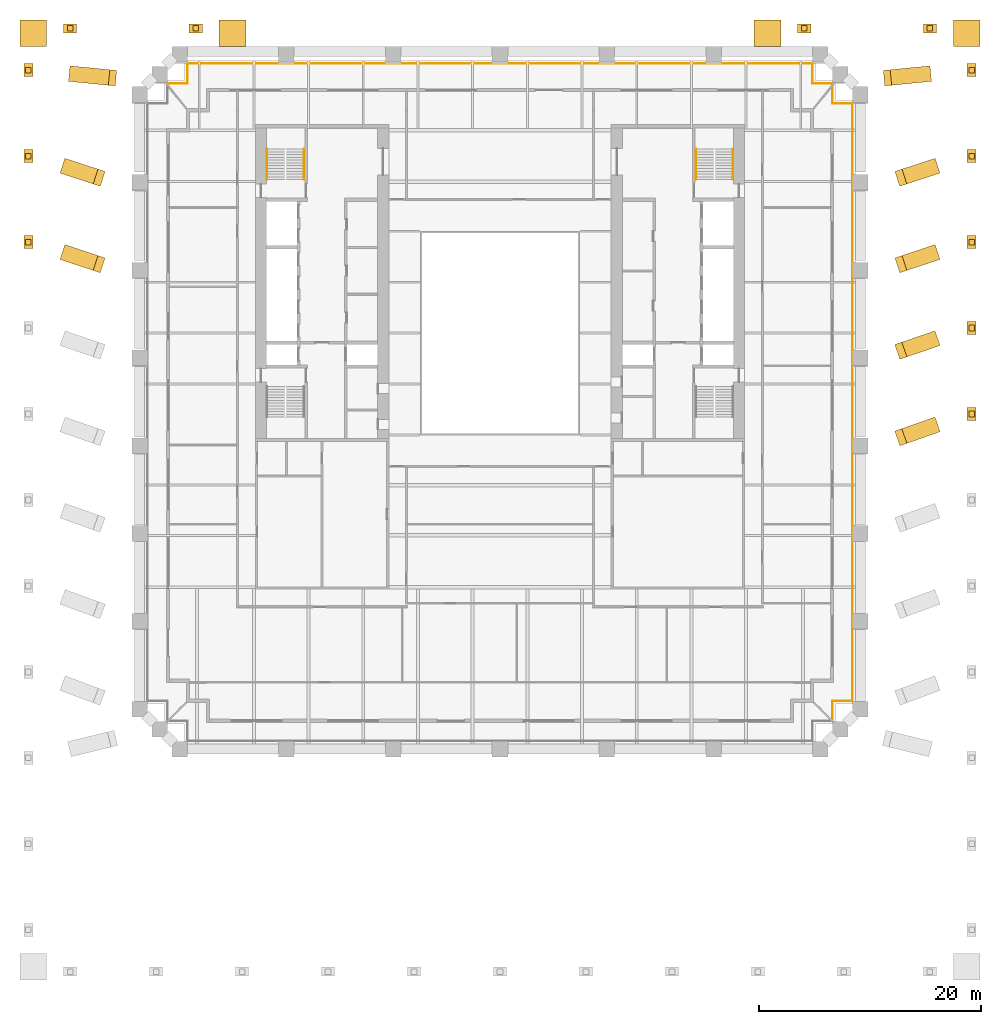
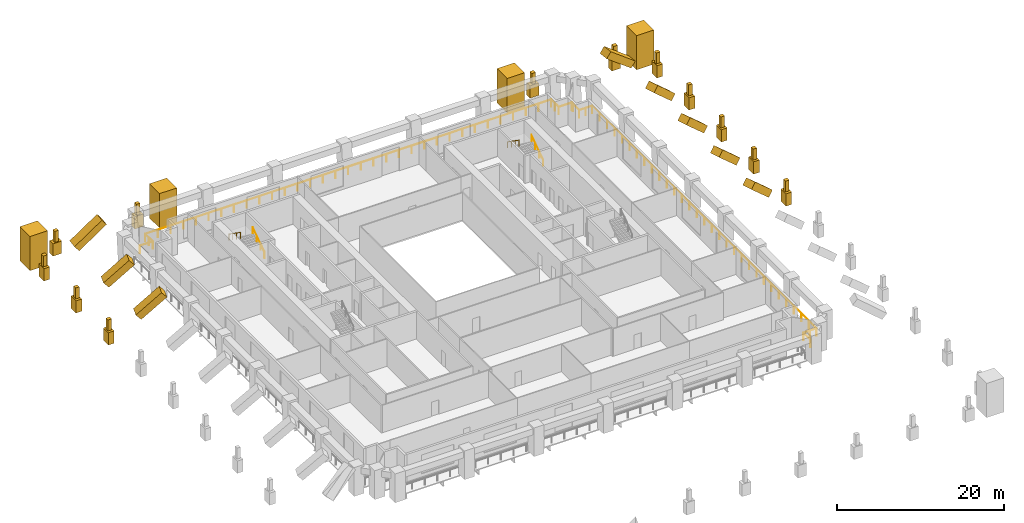
# One storey, part 10 of 10: 36 coverings, 6 railings.
"""IFC4 building model written with IfcOpenShell, lengths in metres."""

from ifc_helpers import new_model, si_unit, direction, frame, origin, origin_2d, place, context, subcontext, project, spatial, rectangle, circle, extrude, material, material_profile, profile_set, type_object, element, save


model = new_model("IFC4")

# Units and contexts
model_context = context("Model", 3, precision=1e-05, world=origin(), true_north=direction((0.0, 1.0)))
body_context = subcontext(model_context, "Body", "Model", "MODEL_VIEW")
ifc_project = project(units=[si_unit("LENGTHUNIT", "METRE"), si_unit("AREAUNIT", "SQUARE_METRE"), si_unit("VOLUMEUNIT", "CUBIC_METRE"), si_unit("PLANEANGLEUNIT", "RADIAN"), si_unit("MASSUNIT", "GRAM", prefix="KILO")], contexts=[model_context])

# Site, building, storey
site_placement = place(None, origin())
site = spatial("IfcSite", under=ifc_project, at=site_placement, CompositionType="ELEMENT")
building_placement = place(site_placement, origin())
building = spatial("IfcBuilding", under=site, at=building_placement, Name="Ogive Exchange Tower", CompositionType="ELEMENT")
storey_placement = place(building_placement, frame((0.0, 0.0, 39.60009765625)))
storey = spatial("IfcBuildingStorey", under=building, at=storey_placement, Name="L07", CompositionType="ELEMENT", Elevation=39.60009765625)

# Railings
ifc_material_1 = material(Name="Stainless steel 316", Category="steel")
railing_type_1 = type_object("IfcRailingType", Name="Guard 1100 stainless steel and glass", PredefinedType="GUARDRAIL", material=ifc_material_1)
railing_1_placement = place(storey_placement, frame((-29.8798828125, 29.36474609375, -0.050048828125)))
element("IfcRailing", 1, at=railing_1_placement, inside=storey, type_object=railing_type_1, Name="Loggia guard 3", PredefinedType="GUARDRAIL", context=body_context, shape_type="SweptSolid", body=[
    extrude(circle(Radius=0.02392578125, at=origin_2d()), frame((0.0, 0.0, 1.076171875), z_axis=(0.0, 1.0, 0.0), x_axis=(-1.0, 0.0, 0.0)), (0.0, 0.0, 1.0), 0.060791015625),
    extrude(circle(Radius=0.02392578125, at=origin_2d()), frame((0.0, 0.060791015625, 1.076171875), z_axis=(1.0, 0.0, 0.0), x_axis=(0.0, 1.0, 0.0)), (0.0, 0.0, 1.0), 1.7998046875),
    extrude(circle(Radius=0.02392578125, at=origin_2d()), frame((1.7998046875, 0.060791015625, 1.076171875), z_axis=(0.0, 1.0, 0.0), x_axis=(-1.0, 0.0, 0.0)), (0.0, 0.0, 1.0), 1.800048828125),
    extrude(circle(Radius=0.02392578125, at=origin_2d()), frame((1.7998046875, 1.86083984375, 1.076171875), z_axis=(1.0, 0.0, 0.0), x_axis=(0.0, 1.0, 0.0)), (0.0, 0.0, 1.0), 56.16015625),
    extrude(circle(Radius=0.02392578125, at=origin_2d()), frame((57.9599609375, 1.86083984375, 1.076171875), z_axis=(0.0, -1.0, 0.0), x_axis=(1.0, 0.0, 0.0)), (0.0, 0.0, 1.0), 1.800048828125),
    extrude(circle(Radius=0.02392578125, at=origin_2d()), frame((57.9599609375, 0.060791015625, 1.076171875), z_axis=(1.0, 0.0, 0.0), x_axis=(0.0, 1.0, 0.0)), (0.0, 0.0, 1.0), 1.7998046875),
    extrude(circle(Radius=0.02392578125, at=origin_2d()), frame((59.759765625, 0.060791015625, 1.076171875), z_axis=(0.0, -1.0, 0.0), x_axis=(1.0, 0.0, 0.0)), (0.0, 0.0, 1.0), 0.060791015625),
    extrude(circle(Radius=0.02099609375, at=origin_2d()), origin(), (0.0, 0.0, 1.0), 1.052001953125),
    extrude(circle(Radius=0.02099609375, at=origin_2d()), frame((0.0, 0.060791015625, 0.0)), (0.0, 0.0, 1.0), 1.052001953125),
    extrude(circle(Radius=0.02099609375, at=origin_2d()), frame((1.7998046875, 0.060791015625, 0.0)), (0.0, 0.0, 1.0), 1.052001953125),
    extrude(circle(Radius=0.02099609375, at=origin_2d()), frame((1.7998046875, 0.9609375, 0.0)), (0.0, 0.0, 1.0), 1.052001953125),
    extrude(circle(Radius=0.02099609375, at=origin_2d()), frame((1.7998046875, 1.86083984375, 0.0)), (0.0, 0.0, 1.0), 1.052001953125),
    extrude(circle(Radius=0.02099609375, at=origin_2d()), frame((3.5546875, 1.86083984375, 0.0)), (0.0, 0.0, 1.0), 1.052001953125),
    extrude(circle(Radius=0.02099609375, at=origin_2d()), frame((5.309814453125, 1.86083984375, 0.0)), (0.0, 0.0, 1.0), 1.052001953125),
    extrude(circle(Radius=0.02099609375, at=origin_2d()), frame((7.06494140625, 1.86083984375, 0.0)), (0.0, 0.0, 1.0), 1.052001953125),
    extrude(circle(Radius=0.02099609375, at=origin_2d()), frame((8.81982421875, 1.86083984375, 0.0)), (0.0, 0.0, 1.0), 1.052001953125),
    extrude(circle(Radius=0.02099609375, at=origin_2d()), frame((10.57470703125, 1.86083984375, 0.0)), (0.0, 0.0, 1.0), 1.052001953125),
    extrude(circle(Radius=0.02099609375, at=origin_2d()), frame((12.329833984375, 1.86083984375, 0.0)), (0.0, 0.0, 1.0), 1.052001953125),
    extrude(circle(Radius=0.02099609375, at=origin_2d()), frame((14.0849609375, 1.86083984375, 0.0)), (0.0, 0.0, 1.0), 1.052001953125),
    extrude(circle(Radius=0.02099609375, at=origin_2d()), frame((15.83984375, 1.86083984375, 0.0)), (0.0, 0.0, 1.0), 1.052001953125),
    extrude(circle(Radius=0.02099609375, at=origin_2d()), frame((17.5947265625, 1.86083984375, 0.0)), (0.0, 0.0, 1.0), 1.052001953125),
    extrude(circle(Radius=0.02099609375, at=origin_2d()), frame((19.349853515625, 1.86083984375, 0.0)), (0.0, 0.0, 1.0), 1.052001953125),
    extrude(circle(Radius=0.02099609375, at=origin_2d()), frame((21.10498046875, 1.86083984375, 0.0)), (0.0, 0.0, 1.0), 1.052001953125),
    extrude(circle(Radius=0.02099609375, at=origin_2d()), frame((22.85986328125, 1.86083984375, 0.0)), (0.0, 0.0, 1.0), 1.052001953125),
    extrude(circle(Radius=0.02099609375, at=origin_2d()), frame((24.61474609375, 1.86083984375, 0.0)), (0.0, 0.0, 1.0), 1.052001953125),
    extrude(circle(Radius=0.02099609375, at=origin_2d()), frame((26.369873046875, 1.86083984375, 0.0)), (0.0, 0.0, 1.0), 1.052001953125),
    extrude(circle(Radius=0.02099609375, at=origin_2d()), frame((28.125, 1.86083984375, 0.0)), (0.0, 0.0, 1.0), 1.052001953125),
    extrude(circle(Radius=0.02099609375, at=origin_2d()), frame((29.8798828125, 1.86083984375, 0.0)), (0.0, 0.0, 1.0), 1.052001953125),
    extrude(circle(Radius=0.02099609375, at=origin_2d()), frame((31.634765625, 1.86083984375, 0.0)), (0.0, 0.0, 1.0), 1.052001953125),
    extrude(circle(Radius=0.02099609375, at=origin_2d()), frame((33.389892578125, 1.86083984375, 0.0)), (0.0, 0.0, 1.0), 1.052001953125),
    extrude(circle(Radius=0.02099609375, at=origin_2d()), frame((35.14501953125, 1.86083984375, 0.0)), (0.0, 0.0, 1.0), 1.052001953125),
    extrude(circle(Radius=0.02099609375, at=origin_2d()), frame((36.89990234375, 1.86083984375, 0.0)), (0.0, 0.0, 1.0), 1.052001953125),
    extrude(circle(Radius=0.02099609375, at=origin_2d()), frame((38.65478515625, 1.86083984375, 0.0)), (0.0, 0.0, 1.0), 1.052001953125),
    extrude(circle(Radius=0.02099609375, at=origin_2d()), frame((40.409912109375, 1.86083984375, 0.0)), (0.0, 0.0, 1.0), 1.052001953125),
    extrude(circle(Radius=0.02099609375, at=origin_2d()), frame((42.1650390625, 1.86083984375, 0.0)), (0.0, 0.0, 1.0), 1.052001953125),
    extrude(circle(Radius=0.02099609375, at=origin_2d()), frame((43.919921875, 1.86083984375, 0.0)), (0.0, 0.0, 1.0), 1.052001953125),
    extrude(circle(Radius=0.02099609375, at=origin_2d()), frame((45.6748046875, 1.86083984375, 0.0)), (0.0, 0.0, 1.0), 1.052001953125),
    extrude(circle(Radius=0.02099609375, at=origin_2d()), frame((47.429931640625, 1.86083984375, 0.0)), (0.0, 0.0, 1.0), 1.052001953125),
    extrude(circle(Radius=0.02099609375, at=origin_2d()), frame((49.18505859375, 1.86083984375, 0.0)), (0.0, 0.0, 1.0), 1.052001953125),
    extrude(circle(Radius=0.02099609375, at=origin_2d()), frame((50.93994140625, 1.86083984375, 0.0)), (0.0, 0.0, 1.0), 1.052001953125),
    extrude(circle(Radius=0.02099609375, at=origin_2d()), frame((52.69482421875, 1.86083984375, 0.0)), (0.0, 0.0, 1.0), 1.052001953125),
    extrude(circle(Radius=0.02099609375, at=origin_2d()), frame((54.449951171875, 1.86083984375, 0.0)), (0.0, 0.0, 1.0), 1.052001953125),
    extrude(circle(Radius=0.02099609375, at=origin_2d()), frame((56.205078125, 1.86083984375, 0.0)), (0.0, 0.0, 1.0), 1.052001953125),
    extrude(circle(Radius=0.02099609375, at=origin_2d()), frame((57.9599609375, 1.86083984375, 0.0)), (0.0, 0.0, 1.0), 1.052001953125),
    extrude(circle(Radius=0.02099609375, at=origin_2d()), frame((57.9599609375, 0.9609375, 0.0)), (0.0, 0.0, 1.0), 1.052001953125),
    extrude(circle(Radius=0.02099609375, at=origin_2d()), frame((57.9599609375, 0.060791015625, 0.0)), (0.0, 0.0, 1.0), 1.052001953125),
    extrude(circle(Radius=0.02099609375, at=origin_2d()), frame((59.759765625, 0.060791015625, 0.0)), (0.0, 0.0, 1.0), 1.052001953125),
    extrude(circle(Radius=0.02099609375, at=origin_2d()), frame((59.759765625, 0.0, 0.0)), (0.0, 0.0, 1.0), 1.052001953125),
])
railing_2_placement = place(storey_placement, frame((29.8798828125, 29.158935546875, -0.050048828125)))
element("IfcRailing", 2, at=railing_2_placement, inside=storey, type_object=railing_type_1, Name="Loggia guard 4", PredefinedType="GUARDRAIL", context=body_context, shape_type="SweptSolid", body=[
    extrude(circle(Radius=0.02392578125, at=origin_2d()), frame((0.0, 0.0, 1.076171875), z_axis=(0.0, -1.0, 0.0), x_axis=(1.0, 0.0, 0.0)), (0.0, 0.0, 1.0), 1.533447265625),
    extrude(circle(Radius=0.02392578125, at=origin_2d()), frame((0.0, -1.533447265625, 1.076171875), z_axis=(1.0, 0.0, 0.0), x_axis=(0.0, 1.0, 0.0)), (0.0, 0.0, 1.0), 1.800048828125),
    extrude(circle(Radius=0.02392578125, at=origin_2d()), frame((1.800048828125, -1.533447265625, 1.076171875), z_axis=(0.0, -1.0, 0.0), x_axis=(1.0, 0.0, 0.0)), (0.0, 0.0, 1.0), 53.70556640625),
    extrude(circle(Radius=0.02392578125, at=origin_2d()), frame((1.800048828125, -55.239013671875, 1.076171875), z_axis=(-1.0, 0.0, 0.0), x_axis=(0.0, -1.0, 0.0)), (0.0, 0.0, 1.0), 1.800048828125),
    extrude(circle(Radius=0.02392578125, at=origin_2d()), frame((0.0, -55.239013671875, 1.076171875), z_axis=(0.0, -1.0, 0.0), x_axis=(1.0, 0.0, 0.0)), (0.0, 0.0, 1.0), 1.7080078125),
    extrude(circle(Radius=0.02099609375, at=origin_2d()), origin(), (0.0, 0.0, 1.0), 1.052001953125),
    extrude(circle(Radius=0.02099609375, at=origin_2d()), frame((0.0, -1.533447265625, 0.0)), (0.0, 0.0, 1.0), 1.052001953125),
    extrude(circle(Radius=0.02099609375, at=origin_2d()), frame((0.89990234375, -1.533447265625, 0.0)), (0.0, 0.0, 1.0), 1.052001953125),
    extrude(circle(Radius=0.02099609375, at=origin_2d()), frame((1.800048828125, -1.533447265625, 0.0)), (0.0, 0.0, 1.0), 1.052001953125),
    extrude(circle(Radius=0.02099609375, at=origin_2d()), frame((1.800048828125, -3.32373046875, 0.0)), (0.0, 0.0, 1.0), 1.052001953125),
    extrude(circle(Radius=0.02099609375, at=origin_2d()), frame((1.800048828125, -5.11376953125, 0.0)), (0.0, 0.0, 1.0), 1.052001953125),
    extrude(circle(Radius=0.02099609375, at=origin_2d()), frame((1.800048828125, -6.904052734375, 0.0)), (0.0, 0.0, 1.0), 1.052001953125),
    extrude(circle(Radius=0.02099609375, at=origin_2d()), frame((1.800048828125, -8.694091796875, 0.0)), (0.0, 0.0, 1.0), 1.052001953125),
    extrude(circle(Radius=0.02099609375, at=origin_2d()), frame((1.800048828125, -10.484375, 0.0)), (0.0, 0.0, 1.0), 1.052001953125),
    extrude(circle(Radius=0.02099609375, at=origin_2d()), frame((1.800048828125, -12.274658203125, 0.0)), (0.0, 0.0, 1.0), 1.052001953125),
    extrude(circle(Radius=0.02099609375, at=origin_2d()), frame((1.800048828125, -14.064697265625, 0.0)), (0.0, 0.0, 1.0), 1.052001953125),
    extrude(circle(Radius=0.02099609375, at=origin_2d()), frame((1.800048828125, -15.85498046875, 0.0)), (0.0, 0.0, 1.0), 1.052001953125),
    extrude(circle(Radius=0.02099609375, at=origin_2d()), frame((1.800048828125, -17.64501953125, 0.0)), (0.0, 0.0, 1.0), 1.052001953125),
    extrude(circle(Radius=0.02099609375, at=origin_2d()), frame((1.800048828125, -19.435302734375, 0.0)), (0.0, 0.0, 1.0), 1.052001953125),
    extrude(circle(Radius=0.02099609375, at=origin_2d()), frame((1.800048828125, -21.2255859375, 0.0)), (0.0, 0.0, 1.0), 1.052001953125),
    extrude(circle(Radius=0.02099609375, at=origin_2d()), frame((1.800048828125, -23.015625, 0.0)), (0.0, 0.0, 1.0), 1.052001953125),
    extrude(circle(Radius=0.02099609375, at=origin_2d()), frame((1.800048828125, -24.805908203125, 0.0)), (0.0, 0.0, 1.0), 1.052001953125),
    extrude(circle(Radius=0.02099609375, at=origin_2d()), frame((1.800048828125, -26.595947265625, 0.0)), (0.0, 0.0, 1.0), 1.052001953125),
    extrude(circle(Radius=0.02099609375, at=origin_2d()), frame((1.800048828125, -28.38623046875, 0.0)), (0.0, 0.0, 1.0), 1.052001953125),
    extrude(circle(Radius=0.02099609375, at=origin_2d()), frame((1.800048828125, -30.176513671875, 0.0)), (0.0, 0.0, 1.0), 1.052001953125),
    extrude(circle(Radius=0.02099609375, at=origin_2d()), frame((1.800048828125, -31.966552734375, 0.0)), (0.0, 0.0, 1.0), 1.052001953125),
    extrude(circle(Radius=0.02099609375, at=origin_2d()), frame((1.800048828125, -33.7568359375, 0.0)), (0.0, 0.0, 1.0), 1.052001953125),
    extrude(circle(Radius=0.02099609375, at=origin_2d()), frame((1.800048828125, -35.546875, 0.0)), (0.0, 0.0, 1.0), 1.052001953125),
    extrude(circle(Radius=0.02099609375, at=origin_2d()), frame((1.800048828125, -37.337158203125, 0.0)), (0.0, 0.0, 1.0), 1.052001953125),
    extrude(circle(Radius=0.02099609375, at=origin_2d()), frame((1.800048828125, -39.12744140625, 0.0)), (0.0, 0.0, 1.0), 1.052001953125),
    extrude(circle(Radius=0.02099609375, at=origin_2d()), frame((1.800048828125, -40.91748046875, 0.0)), (0.0, 0.0, 1.0), 1.052001953125),
    extrude(circle(Radius=0.02099609375, at=origin_2d()), frame((1.800048828125, -42.707763671875, 0.0)), (0.0, 0.0, 1.0), 1.052001953125),
    extrude(circle(Radius=0.02099609375, at=origin_2d()), frame((1.800048828125, -44.497802734375, 0.0)), (0.0, 0.0, 1.0), 1.052001953125),
    extrude(circle(Radius=0.02099609375, at=origin_2d()), frame((1.800048828125, -46.2880859375, 0.0)), (0.0, 0.0, 1.0), 1.052001953125),
    extrude(circle(Radius=0.02099609375, at=origin_2d()), frame((1.800048828125, -48.078369140625, 0.0)), (0.0, 0.0, 1.0), 1.052001953125),
    extrude(circle(Radius=0.02099609375, at=origin_2d()), frame((1.800048828125, -49.868408203125, 0.0)), (0.0, 0.0, 1.0), 1.052001953125),
    extrude(circle(Radius=0.02099609375, at=origin_2d()), frame((1.800048828125, -51.65869140625, 0.0)), (0.0, 0.0, 1.0), 1.052001953125),
    extrude(circle(Radius=0.02099609375, at=origin_2d()), frame((1.800048828125, -53.44873046875, 0.0)), (0.0, 0.0, 1.0), 1.052001953125),
    extrude(circle(Radius=0.02099609375, at=origin_2d()), frame((1.800048828125, -55.239013671875, 0.0)), (0.0, 0.0, 1.0), 1.052001953125),
    extrude(circle(Radius=0.02099609375, at=origin_2d()), frame((0.89990234375, -55.239013671875, 0.0)), (0.0, 0.0, 1.0), 1.052001953125),
    extrude(circle(Radius=0.02099609375, at=origin_2d()), frame((0.0, -55.239013671875, 0.0)), (0.0, 0.0, 1.0), 1.052001953125),
    extrude(circle(Radius=0.02099609375, at=origin_2d()), frame((0.0, -56.947021484375, 0.0)), (0.0, 0.0, 1.0), 1.052001953125),
])

# Coverings
ifc_material_2 = material(Name="Precast concrete C50/60", Category="concrete")
ifc_material_profile_1 = material_profile(ifc_material_2, rectangle(XDim=1.199951171875, YDim=0.800048828125, at=origin_2d()), Name="BUTTRESS PIER 3 1200 x 800")
ifc_profile_set_1 = profile_set([ifc_material_profile_1], Name="Precast concrete C50/60")
covering_type_1 = type_object("IfcCoveringType", Name="Precast buttress pier stage 3 1200 x 800 C50/60", PredefinedType="CLADDING", material=ifc_profile_set_1)
for number, where, z_axis, x_axis, name in (
    (3, (38.64990234375, 34.39990234375, 0.0), (0.0, 0.0, 1.0), (1.0, 0.0, 0.0), "Buttress pier 1 stage 3"),
    (4, (27.35009765625, 34.39990234375, 0.0), (0.0, 0.0, 1.0), (1.0, 0.0, 0.0), "Buttress pier 2 stage 3"),
    (5, (-27.35009765625, 34.39990234375, 0.0), (0.0, 0.0, 1.0), (1.0, 0.0, 0.0), "Buttress pier 3 stage 3"),
    (6, (-38.64990234375, 34.39990234375, 0.0), (0.0, 0.0, 1.0), (1.0, 0.0, 0.0), "Buttress pier 4 stage 3"),
    (7, (-42.39990234375, 30.64990234375, 0.0), (0.0, 0.0, 1.0), (0.0, 1.0, 0.0), "Buttress pier 5 stage 3"),
    (8, (-42.39990234375, 22.919921875, 0.0), (0.0, 0.0, 1.0), (0.0, 1.0, 0.0), "Buttress pier 6 stage 3"),
    (9, (-42.39990234375, 15.18994140625, 0.0), (0.0, 0.0, 1.0), (0.0, 1.0, 0.0), "Buttress pier 7 stage 3"),
    (10, (42.39990234375, -0.27001953125, 0.0), (0.0, 0.0, 1.0), (0.0, 1.0, 0.0), "Buttress pier 33 stage 3"),
    (11, (42.39990234375, 7.4599609375, 0.0), (0.0, 0.0, 1.0), (0.0, 1.0, 0.0), "Buttress pier 34 stage 3"),
    (12, (42.39990234375, 15.18994140625, 0.0), (0.0, 0.0, 1.0), (0.0, 1.0, 0.0), "Buttress pier 35 stage 3"),
    (13, (42.39990234375, 22.919921875, 0.0), (0.0, 0.0, 1.0), (0.0, 1.0, 0.0), "Buttress pier 36 stage 3"),
    (14, (42.39990234375, 30.64990234375, 0.0), (0.0, 0.0, 1.0), (0.0, 1.0, 0.0), "Buttress pier 37 stage 3"),
):
    element("IfcCovering", number, at=place(storey_placement, frame(where, z_axis=z_axis, x_axis=x_axis)), inside=storey, type_object=covering_type_1, Name=name, PredefinedType="CLADDING", context=body_context, shape_type="SweptSolid", body=[
        extrude(rectangle(XDim=1.199951171875, YDim=0.800048828125, at=origin_2d()), origin(), (0.0, 0.0, 1.0), 1.7998046875),
    ])
ifc_material_profile_2 = material_profile(ifc_material_2, rectangle(XDim=0.5, YDim=0.5, at=origin_2d()), Name="BUTTRESS PIER 4 500 x 500")
ifc_profile_set_2 = profile_set([ifc_material_profile_2], Name="Precast concrete C50/60")
covering_type_2 = type_object("IfcCoveringType", Name="Precast buttress pier stage 4 500 x 500 C50/60", PredefinedType="CLADDING", material=ifc_profile_set_2)
for number, where, z_axis, x_axis, name in (
    (15, (38.64990234375, 34.39990234375, 1.7998046875), (0.0, 0.0, 1.0), (1.0, 0.0, 0.0), "Buttress pier 1 stage 4"),
    (16, (27.35009765625, 34.39990234375, 1.7998046875), (0.0, 0.0, 1.0), (1.0, 0.0, 0.0), "Buttress pier 2 stage 4"),
    (17, (-27.35009765625, 34.39990234375, 1.7998046875), (0.0, 0.0, 1.0), (1.0, 0.0, 0.0), "Buttress pier 3 stage 4"),
    (18, (-38.64990234375, 34.39990234375, 1.7998046875), (0.0, 0.0, 1.0), (1.0, 0.0, 0.0), "Buttress pier 4 stage 4"),
    (19, (-42.39990234375, 30.64990234375, 1.7998046875), (0.0, 0.0, 1.0), (0.0, 1.0, 0.0), "Buttress pier 5 stage 4"),
    (20, (-42.39990234375, 22.919921875, 1.7998046875), (0.0, 0.0, 1.0), (0.0, 1.0, 0.0), "Buttress pier 6 stage 4"),
    (21, (-42.39990234375, 15.18994140625, 1.7998046875), (0.0, 0.0, 1.0), (0.0, 1.0, 0.0), "Buttress pier 7 stage 4"),
    (22, (42.39990234375, -0.27001953125, 1.7998046875), (0.0, 0.0, 1.0), (0.0, 1.0, 0.0), "Buttress pier 33 stage 4"),
    (23, (42.39990234375, 7.4599609375, 1.7998046875), (0.0, 0.0, 1.0), (0.0, 1.0, 0.0), "Buttress pier 34 stage 4"),
    (24, (42.39990234375, 15.18994140625, 1.7998046875), (0.0, 0.0, 1.0), (0.0, 1.0, 0.0), "Buttress pier 35 stage 4"),
    (25, (42.39990234375, 22.919921875, 1.7998046875), (0.0, 0.0, 1.0), (0.0, 1.0, 0.0), "Buttress pier 36 stage 4"),
    (26, (42.39990234375, 30.64990234375, 1.7998046875), (0.0, 0.0, 1.0), (0.0, 1.0, 0.0), "Buttress pier 37 stage 4"),
):
    element("IfcCovering", number, at=place(storey_placement, frame(where, z_axis=z_axis, x_axis=x_axis)), inside=storey, type_object=covering_type_2, Name=name, PredefinedType="CLADDING", context=body_context, shape_type="SweptSolid", body=[
        extrude(rectangle(XDim=0.5, YDim=0.5, at=origin_2d()), origin(), (0.0, 0.0, 1.0), 1.60009765625),
    ])
ifc_material_profile_3 = material_profile(ifc_material_2, rectangle(XDim=2.39990234375, YDim=2.39990234375, at=origin_2d()), Name="CORNER TURRET 2 2400 x 2400")
ifc_profile_set_3 = profile_set([ifc_material_profile_3], Name="Precast concrete C50/60")
covering_type_3 = type_object("IfcCoveringType", Name="Precast corner turret stage 2 2400 x 2400 C50/60", PredefinedType="CLADDING", material=ifc_profile_set_3)
for number, where, z_axis, x_axis, name in (
    (27, (41.949951171875, 33.949951171875, 0.0), (0.0, 0.0, 1.0), (1.0, 0.0, 0.0), "Corner turret 1 stage 2"),
    (28, (24.050048828125, 33.949951171875, 0.0), (0.0, 0.0, 1.0), (1.0, 0.0, 0.0), "Corner turret 2 stage 2"),
    (29, (-24.050048828125, 33.949951171875, 0.0), (0.0, 0.0, 1.0), (1.0, 0.0, 0.0), "Corner turret 3 stage 2"),
    (30, (-41.949951171875, 33.949951171875, 0.0), (0.0, 0.0, 1.0), (1.0, 0.0, 0.0), "Corner turret 4 stage 2"),
):
    element("IfcCovering", number, at=place(storey_placement, frame(where, z_axis=z_axis, x_axis=x_axis)), inside=storey, type_object=covering_type_3, Name=name, PredefinedType="CLADDING", context=body_context, shape_type="SweptSolid", body=[
        extrude(rectangle(XDim=2.39990234375, YDim=2.39990234375, at=origin_2d()), origin(), (0.0, 0.0, 1.0), 5.0),
    ])
ifc_material_profile_4 = material_profile(ifc_material_2, rectangle(XDim=1.39990234375, YDim=1.0, at=origin_2d()), Name="FLYING BUTTRESS 2 1400 x 1000")
ifc_profile_set_4 = profile_set([ifc_material_profile_4], Name="Precast concrete C50/60")
covering_type_4 = type_object("IfcCoveringType", Name="Precast flying buttress stage 2 1400 x 1000 C50/60", PredefinedType="CLADDING", material=ifc_profile_set_4)
for number, where, z_axis, x_axis, name in (
    (31, (-38.4169921875, 30.300048828125, 3.471923828125), (0.782108506842, -0.076399427712, 0.618441113584), (0.097221175519, 0.995262800988, 0.0), "Flying buttress 1 stage 2"),
    (32, (38.4169921875, 30.300048828125, 3.471923828125), (-0.782108506842, -0.076399427712, 0.618441113584), (0.097221175519, -0.995262800988, 0.0), "Flying buttress 2 stage 2"),
):
    element("IfcCovering", number, at=place(storey_placement, frame(where, z_axis=z_axis, x_axis=x_axis)), inside=storey, type_object=covering_type_4, Name=name, PredefinedType="CLADDING", context=body_context, shape_type="SweptSolid", body=[
        extrude(rectangle(XDim=1.39990234375, YDim=1.0, at=origin_2d()), origin(), (0.0, 0.0, 1.0), 4.58251953125),
    ])
for number, where, z_axis, x_axis, name in (
    (33, (-39.01708984375, 21.947021484375, 3.471923828125), (0.705615864942, -0.230336848656, 0.670112816841), (0.310318591233, 0.950632616701, 0.0), "Flying buttress 5 stage 2"),
    (34, (39.01708984375, 21.947021484375, 3.471923828125), (-0.705615864942, -0.230336848656, 0.670112816841), (0.310318591233, -0.950632616701, 0.0), "Flying buttress 6 stage 2"),
):
    element("IfcCovering", number, at=place(storey_placement, frame(where, z_axis=z_axis, x_axis=x_axis)), inside=storey, type_object=covering_type_4, Name=name, PredefinedType="CLADDING", context=body_context, shape_type="SweptSolid", body=[
        extrude(rectangle(XDim=1.39990234375, YDim=1.0, at=origin_2d()), origin(), (0.0, 0.0, 1.0), 4.22900390625),
    ])
for number, where, z_axis, x_axis, name in (
    (35, (39.01708984375, 14.193115234375, 3.471923828125), (-0.704763456159, -0.235247885227, 0.669303296988), (0.316623517895, -0.948551289027, 0.0), "Flying buttress 7 stage 2"),
    (36, (-39.01708984375, 14.193115234375, 3.471923828125), (0.704763456159, -0.235247885227, 0.669303296988), (0.316623517895, 0.948551289027, 0.0), "Flying buttress 8 stage 2"),
):
    element("IfcCovering", number, at=place(storey_placement, frame(where, z_axis=z_axis, x_axis=x_axis)), inside=storey, type_object=covering_type_4, Name=name, PredefinedType="CLADDING", context=body_context, shape_type="SweptSolid", body=[
        extrude(rectangle(XDim=1.39990234375, YDim=1.0, at=origin_2d()), origin(), (0.0, 0.0, 1.0), 4.234130859375),
    ])
covering_1_placement = place(storey_placement, frame((39.01708984375, 6.43994140625, 3.471923828125), z_axis=(-0.703817283937, -0.240575031685, 0.668404731403), x_axis=(0.32344145552, -0.946248183539, 0.0)))
element("IfcCovering", 37, at=covering_1_placement, inside=storey, type_object=covering_type_4, Name="Flying buttress 10 stage 2", PredefinedType="CLADDING", context=body_context, shape_type="SweptSolid", body=[
    extrude(rectangle(XDim=1.39990234375, YDim=1.0, at=origin_2d()), origin(), (0.0, 0.0, 1.0), 4.239990234375),
])
covering_2_placement = place(storey_placement, frame((39.01708984375, -1.31298828125, 3.471923828125), z_axis=(-0.702852591519, -0.245880526985, 0.667488577464), x_axis=(0.330209388531, -0.943907707208, 0.0)))
element("IfcCovering", 38, at=covering_2_placement, inside=storey, type_object=covering_type_4, Name="Flying buttress 12 stage 2", PredefinedType="CLADDING", context=body_context, shape_type="SweptSolid", body=[
    extrude(rectangle(XDim=1.39990234375, YDim=1.0, at=origin_2d()), origin(), (0.0, 0.0, 1.0), 4.245849609375),
])

# Railings
ifc_material_3 = material(Name="Stainless steel", Category="steel")
railing_type_2 = type_object("IfcRailingType", Name="Stair handrail 900", PredefinedType="HANDRAIL", material=ifc_material_3)
railing_3_placement = place(storey_placement, frame((-17.60009765625, 20.800048828125, 0.1748046875)))
element("IfcRailing", 39, at=railing_3_placement, inside=storey, type_object=railing_type_2, Name="L07 ST2 stair handrail 1", PredefinedType="HANDRAIL", context=body_context, shape_type="SweptSolid", body=[
    extrude(circle(Radius=0.02392578125, at=origin_2d()), frame((0.0, 0.0, 0.8759765625), z_axis=(0.0, 0.819225086817, 0.573472106672), x_axis=(-1.0, 0.0, 0.0)), (0.0, 0.0, 1.0), 3.35693359375),
    extrude(circle(Radius=0.02099609375, at=origin_2d()), origin(), (0.0, 0.0, 1.0), 0.851806640625),
    extrude(circle(Radius=0.02099609375, at=origin_2d()), frame((0.0, 0.916748046875, 0.6416015625)), (0.0, 0.0, 1.0), 0.851806640625),
    extrude(circle(Radius=0.02099609375, at=origin_2d()), frame((0.0, 1.833251953125, 1.283447265625)), (0.0, 0.0, 1.0), 0.851806640625),
    extrude(circle(Radius=0.02099609375, at=origin_2d()), frame((0.0, 2.75, 1.925048828125)), (0.0, 0.0, 1.0), 0.851806640625),
])
railing_4_placement = place(storey_placement, frame((-20.949951171875, 23.550048828125, 2.27490234375)))
element("IfcRailing", 40, at=railing_4_placement, inside=storey, type_object=railing_type_2, Name="L07 ST2 stair handrail 2", PredefinedType="HANDRAIL", context=body_context, shape_type="SweptSolid", body=[
    extrude(circle(Radius=0.02392578125, at=origin_2d()), frame((0.0, 0.0, 0.8759765625), z_axis=(0.0, -0.819225086817, 0.573472106672), x_axis=(1.0, 0.0, 0.0)), (0.0, 0.0, 1.0), 3.35693359375),
    extrude(circle(Radius=0.02099609375, at=origin_2d()), origin(), (0.0, 0.0, 1.0), 0.851806640625),
    extrude(circle(Radius=0.02099609375, at=origin_2d()), frame((0.0, -0.916748046875, 0.6416015625)), (0.0, 0.0, 1.0), 0.851806640625),
    extrude(circle(Radius=0.02099609375, at=origin_2d()), frame((0.0, -1.833251953125, 1.283447265625)), (0.0, 0.0, 1.0), 0.851806640625),
    extrude(circle(Radius=0.02099609375, at=origin_2d()), frame((0.0, -2.75, 1.925048828125)), (0.0, 0.0, 1.0), 0.851806640625),
])
railing_5_placement = place(storey_placement, frame((20.949951171875, 20.800048828125, 0.1748046875)))
element("IfcRailing", 41, at=railing_5_placement, inside=storey, type_object=railing_type_2, Name="L07 ST4 stair handrail 1", PredefinedType="HANDRAIL", context=body_context, shape_type="SweptSolid", body=[
    extrude(circle(Radius=0.02392578125, at=origin_2d()), frame((0.0, 0.0, 0.8759765625), z_axis=(0.0, 0.819225086817, 0.573472106672), x_axis=(-1.0, 0.0, 0.0)), (0.0, 0.0, 1.0), 3.35693359375),
    extrude(circle(Radius=0.02099609375, at=origin_2d()), origin(), (0.0, 0.0, 1.0), 0.851806640625),
    extrude(circle(Radius=0.02099609375, at=origin_2d()), frame((0.0, 0.916748046875, 0.6416015625)), (0.0, 0.0, 1.0), 0.851806640625),
    extrude(circle(Radius=0.02099609375, at=origin_2d()), frame((0.0, 1.833251953125, 1.283447265625)), (0.0, 0.0, 1.0), 0.851806640625),
    extrude(circle(Radius=0.02099609375, at=origin_2d()), frame((0.0, 2.75, 1.925048828125)), (0.0, 0.0, 1.0), 0.851806640625),
])
railing_6_placement = place(storey_placement, frame((17.60009765625, 23.550048828125, 2.27490234375)))
element("IfcRailing", 42, at=railing_6_placement, inside=storey, type_object=railing_type_2, Name="L07 ST4 stair handrail 2", PredefinedType="HANDRAIL", context=body_context, shape_type="SweptSolid", body=[
    extrude(circle(Radius=0.02392578125, at=origin_2d()), frame((0.0, 0.0, 0.8759765625), z_axis=(0.0, -0.819225086817, 0.573472106672), x_axis=(1.0, 0.0, 0.0)), (0.0, 0.0, 1.0), 3.35693359375),
    extrude(circle(Radius=0.02099609375, at=origin_2d()), origin(), (0.0, 0.0, 1.0), 0.851806640625),
    extrude(circle(Radius=0.02099609375, at=origin_2d()), frame((0.0, -0.916748046875, 0.6416015625)), (0.0, 0.0, 1.0), 0.851806640625),
    extrude(circle(Radius=0.02099609375, at=origin_2d()), frame((0.0, -1.833251953125, 1.283447265625)), (0.0, 0.0, 1.0), 0.851806640625),
    extrude(circle(Radius=0.02099609375, at=origin_2d()), frame((0.0, -2.75, 1.925048828125)), (0.0, 0.0, 1.0), 0.851806640625),
])

save(model, "model.ifc")
